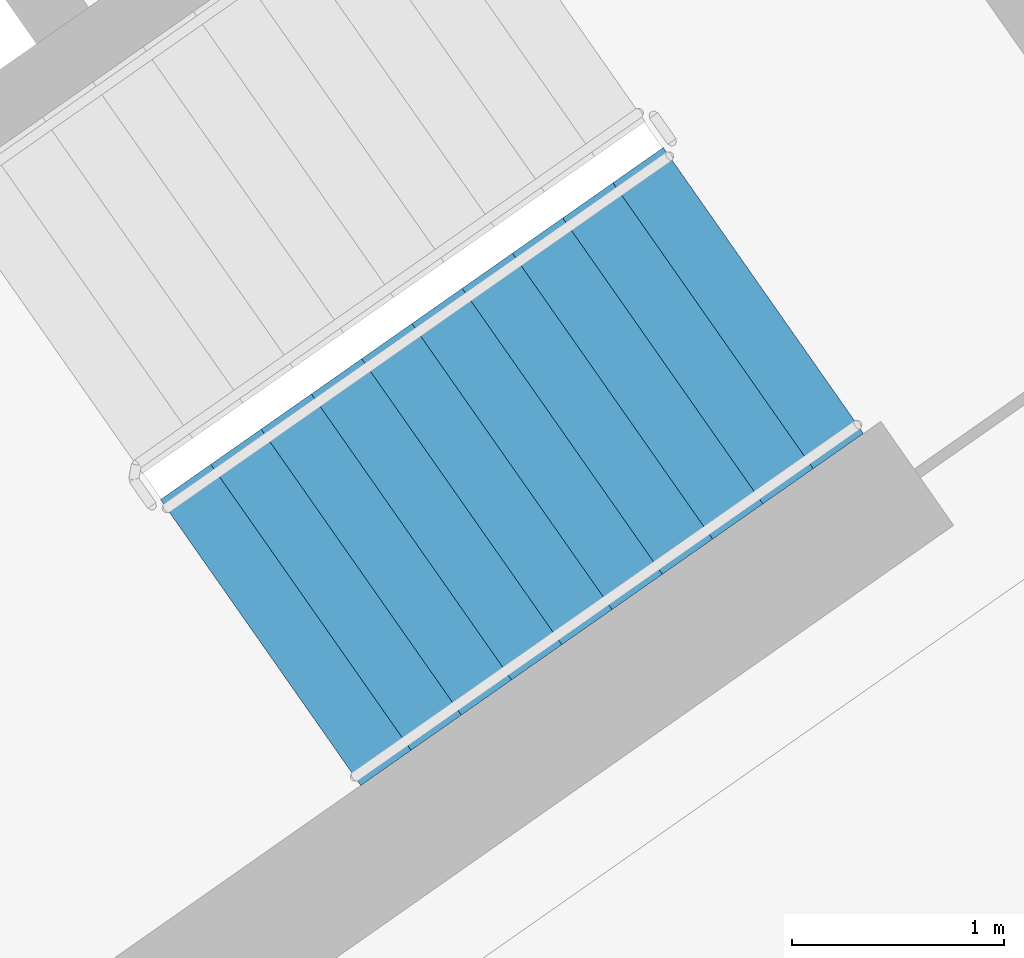
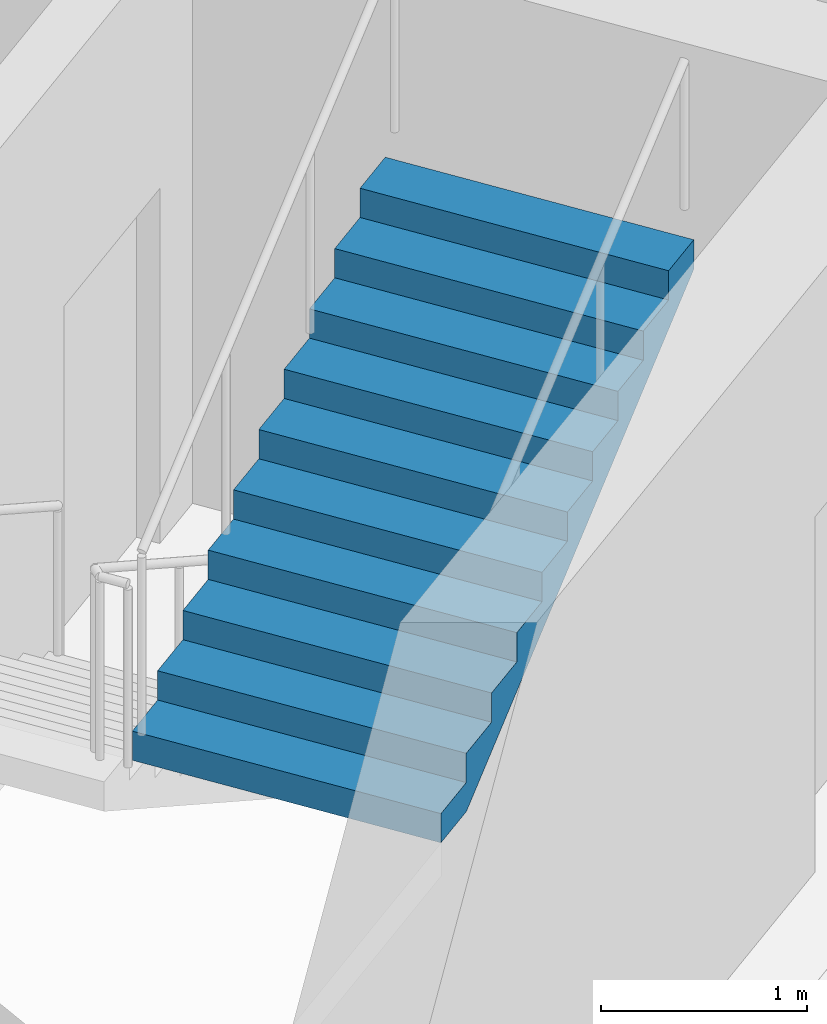
# One storey, part 13 of 27: 1 stair flight, 1 element without a shape of its own.
"""IFC4 building model written with IfcOpenShell, lengths in metres."""

from ifc_helpers import new_model, si_unit, direction, frame, origin, place, context, subcontext, project, spatial, faceted_brep, material, type_object, element, aggregate, save


model = new_model("IFC4")

# Units and contexts
model_context = context("Model", 3, precision=1e-05, world=origin(), true_north=direction((0.0, 1.0)))
body_context = subcontext(model_context, "Body", "Model", "MODEL_VIEW")
ifc_project = project(units=[si_unit("LENGTHUNIT", "METRE"), si_unit("AREAUNIT", "SQUARE_METRE"), si_unit("VOLUMEUNIT", "CUBIC_METRE"), si_unit("PLANEANGLEUNIT", "RADIAN"), si_unit("MASSUNIT", "GRAM", prefix="KILO")], contexts=[model_context])

# Site, building, storey
site_placement = place(None, origin())
site = spatial("IfcSite", under=ifc_project, at=site_placement, CompositionType="ELEMENT")
building_placement = place(site_placement, origin())
building = spatial("IfcBuilding", under=site, at=building_placement, Name="Qamariyya Broadcast Tower", CompositionType="ELEMENT")
storey_placement = place(building_placement, frame((0.0, 0.0, 211.300048828125)))
storey = spatial("IfcBuildingStorey", under=building, at=storey_placement, Name="L50", CompositionType="ELEMENT", Elevation=211.300048828125)

# Stair, stair flight
ifc_material = material(Name="Concrete C50/60", Category="concrete")
stair_type = type_object("IfcStairType", Name="Exit stair 22 risers of 173 mm", PredefinedType="HALF_TURN_STAIR", material=ifc_material)
stair_placement = place(storey_placement, origin())
stair = element("IfcStair", 1, at=stair_placement, inside=storey, type_object=stair_type, Name="L50 Stair E1", PredefinedType="HALF_TURN_STAIR")
stair_flight_type = type_object("IfcStairFlightType", Name="Exit stair flight 11 risers of 173 mm", PredefinedType="STRAIGHT", material=ifc_material)
stair_flight_placement = place(storey_placement, frame((44.693359375, -58.64599609375, 1.89990234375), z_axis=(0.0, 0.0, 1.0), x_axis=(0.819152044289, 0.573576436351, 0.0)))
stair_flight = element("IfcStairFlight", 2, at=stair_flight_placement, type_object=stair_flight_type, Name="ST-E1 flight 2", NumberOfRisers=11, NumberOfTreads=10, PredefinedType="STRAIGHT", RiserHeight=0.172727273, TreadLength=0.29, context=body_context, shape_type="Brep", body=[
    faceted_brep([(0.0, 0.824951171875, 0.0), (0.0, 0.824951171875, 0.172607421875), (0.2900390625, 0.824951171875, 0.172607421875), (0.2900390625, 0.824951171875, 0.345458984375), (0.580078125, 0.824951171875, 0.345458984375), (0.580078125, 0.824951171875, 0.51806640625), (0.8701171875, 0.824951171875, 0.51806640625), (0.8701171875, 0.824951171875, 0.69091796875), (1.159912109375, 0.824951171875, 0.69091796875), (1.159912109375, 0.824951171875, 0.863525390625), (1.449951171875, 0.824951171875, 0.863525390625), (1.449951171875, 0.824951171875, 1.036376953125), (1.739990234375, 0.824951171875, 1.036376953125), (1.739990234375, 0.824951171875, 1.208984375), (2.030029296875, 0.824951171875, 1.208984375), (2.030029296875, 0.824951171875, 1.3818359375), (2.320068359375, 0.824951171875, 1.3818359375), (2.320068359375, 0.824951171875, 1.554443359375), (2.610107421875, 0.824951171875, 1.554443359375), (2.610107421875, 0.824951171875, 1.727294921875), (2.89990234375, 0.824951171875, 1.727294921875), (2.89990234375, 0.824951171875, 1.552734375), (0.29296875, 0.824951171875, 0.0), (0.29296875, -0.824951171875, 0.0), (2.89990234375, -0.824951171875, 1.552734375), (2.89990234375, -0.824951171875, 1.727294921875), (2.610107421875, -0.824951171875, 1.727294921875), (2.610107421875, -0.824951171875, 1.554443359375), (2.320068359375, -0.824951171875, 1.554443359375), (2.320068359375, -0.824951171875, 1.3818359375), (2.030029296875, -0.824951171875, 1.3818359375), (2.030029296875, -0.824951171875, 1.208984375), (1.739990234375, -0.824951171875, 1.208984375), (1.739990234375, -0.824951171875, 1.036376953125), (1.449951171875, -0.824951171875, 1.036376953125), (1.449951171875, -0.824951171875, 0.863525390625), (1.159912109375, -0.824951171875, 0.863525390625), (1.159912109375, -0.824951171875, 0.69091796875), (0.8701171875, -0.824951171875, 0.69091796875), (0.8701171875, -0.824951171875, 0.51806640625), (0.580078125, -0.824951171875, 0.51806640625), (0.580078125, -0.824951171875, 0.345458984375), (0.2900390625, -0.824951171875, 0.345458984375), (0.2900390625, -0.824951171875, 0.172607421875), (0.0, -0.824951171875, 0.172607421875), (0.0, -0.824951171875, 0.0), (0.0, 0.10009765625, 0.0), (0.0, 0.086669921875, 0.0), (0.0, 0.0732421875, 0.0), (0.0, 0.06005859375, 0.0), (0.0, 0.046630859375, 0.0), (0.0, 0.033447265625, 0.0), (0.0, 0.02001953125, 0.0), (0.0, 0.006591796875, 0.0), (0.0, -0.006591796875, 0.0), (0.0, -0.02001953125, 0.0), (0.0, -0.033447265625, 0.0), (0.0, -0.046630859375, 0.0), (0.0, -0.06005859375, 0.0), (0.0, -0.0732421875, 0.0), (0.0, -0.086669921875, 0.0), (0.0, -0.10009765625, 0.0), (0.0, -0.10009765625, 0.172607421875), (0.0, -0.086669921875, 0.172607421875), (0.0, -0.0732421875, 0.172607421875), (0.0, -0.06005859375, 0.172607421875), (0.0, -0.046630859375, 0.172607421875), (0.0, -0.033447265625, 0.172607421875), (0.0, -0.02001953125, 0.172607421875), (0.0, -0.006591796875, 0.172607421875), (0.0, 0.006591796875, 0.172607421875), (0.0, 0.02001953125, 0.172607421875), (0.0, 0.033447265625, 0.172607421875), (0.0, 0.046630859375, 0.172607421875), (0.0, 0.06005859375, 0.172607421875), (0.0, 0.0732421875, 0.172607421875), (0.0, 0.086669921875, 0.172607421875), (0.0, 0.10009765625, 0.172607421875), (0.2900390625, -0.10009765625, 0.172607421875), (0.2900390625, -0.086669921875, 0.172607421875), (0.2900390625, -0.0732421875, 0.172607421875), (0.2900390625, -0.06005859375, 0.172607421875), (0.2900390625, -0.046630859375, 0.172607421875), (0.2900390625, -0.033447265625, 0.172607421875), (0.2900390625, -0.02001953125, 0.172607421875), (0.2900390625, -0.006591796875, 0.172607421875), (0.2900390625, 0.006591796875, 0.172607421875), (0.2900390625, 0.02001953125, 0.172607421875), (0.2900390625, 0.033447265625, 0.172607421875), (0.2900390625, 0.046630859375, 0.172607421875), (0.2900390625, 0.06005859375, 0.172607421875), (0.2900390625, 0.0732421875, 0.172607421875), (0.2900390625, 0.086669921875, 0.172607421875), (0.2900390625, 0.10009765625, 0.172607421875), (0.2900390625, -0.10009765625, 0.345458984375), (0.2900390625, -0.086669921875, 0.345458984375), (0.2900390625, -0.0732421875, 0.345458984375), (0.2900390625, -0.06005859375, 0.345458984375), (0.2900390625, -0.046630859375, 0.345458984375), (0.2900390625, -0.033447265625, 0.345458984375), (0.2900390625, -0.02001953125, 0.345458984375), (0.2900390625, -0.006591796875, 0.345458984375), (0.2900390625, 0.006591796875, 0.345458984375), (0.2900390625, 0.02001953125, 0.345458984375), (0.2900390625, 0.033447265625, 0.345458984375), (0.2900390625, 0.046630859375, 0.345458984375), (0.2900390625, 0.06005859375, 0.345458984375), (0.2900390625, 0.0732421875, 0.345458984375), (0.2900390625, 0.086669921875, 0.345458984375), (0.2900390625, 0.10009765625, 0.345458984375), (0.580078125, -0.10009765625, 0.345458984375), (0.580078125, -0.086669921875, 0.345458984375), (0.580078125, -0.0732421875, 0.345458984375), (0.580078125, -0.06005859375, 0.345458984375), (0.580078125, -0.046630859375, 0.345458984375), (0.580078125, -0.033447265625, 0.345458984375), (0.580078125, -0.02001953125, 0.345458984375), (0.580078125, -0.006591796875, 0.345458984375), (0.580078125, 0.006591796875, 0.345458984375), (0.580078125, 0.02001953125, 0.345458984375), (0.580078125, 0.033447265625, 0.345458984375), (0.580078125, 0.046630859375, 0.345458984375), (0.580078125, 0.06005859375, 0.345458984375), (0.580078125, 0.0732421875, 0.345458984375), (0.580078125, 0.086669921875, 0.345458984375), (0.580078125, 0.10009765625, 0.345458984375), (0.580078125, -0.10009765625, 0.51806640625), (0.580078125, -0.086669921875, 0.51806640625), (0.580078125, -0.0732421875, 0.51806640625), (0.580078125, -0.06005859375, 0.51806640625), (0.580078125, -0.046630859375, 0.51806640625), (0.580078125, -0.033447265625, 0.51806640625), (0.580078125, -0.02001953125, 0.51806640625), (0.580078125, -0.006591796875, 0.51806640625), (0.580078125, 0.006591796875, 0.51806640625), (0.580078125, 0.02001953125, 0.51806640625), (0.580078125, 0.033447265625, 0.51806640625), (0.580078125, 0.046630859375, 0.51806640625), (0.580078125, 0.06005859375, 0.51806640625), (0.580078125, 0.0732421875, 0.51806640625), (0.580078125, 0.086669921875, 0.51806640625), (0.580078125, 0.10009765625, 0.51806640625), (0.8701171875, -0.10009765625, 0.51806640625), (0.8701171875, -0.086669921875, 0.51806640625), (0.8701171875, -0.0732421875, 0.51806640625), (0.8701171875, -0.06005859375, 0.51806640625), (0.8701171875, -0.046630859375, 0.51806640625), (0.8701171875, -0.033447265625, 0.51806640625), (0.8701171875, -0.02001953125, 0.51806640625), (0.8701171875, -0.006591796875, 0.51806640625), (0.8701171875, 0.006591796875, 0.51806640625), (0.8701171875, 0.02001953125, 0.51806640625), (0.8701171875, 0.033447265625, 0.51806640625), (0.8701171875, 0.046630859375, 0.51806640625), (0.8701171875, 0.06005859375, 0.51806640625), (0.8701171875, 0.0732421875, 0.51806640625), (0.8701171875, 0.086669921875, 0.51806640625), (0.8701171875, 0.10009765625, 0.51806640625), (0.8701171875, -0.10009765625, 0.69091796875), (0.8701171875, -0.086669921875, 0.69091796875), (0.8701171875, -0.0732421875, 0.69091796875), (0.8701171875, -0.06005859375, 0.69091796875), (0.8701171875, -0.046630859375, 0.69091796875), (0.8701171875, -0.033447265625, 0.69091796875), (0.8701171875, -0.02001953125, 0.69091796875), (0.8701171875, -0.006591796875, 0.69091796875), (0.8701171875, 0.006591796875, 0.69091796875), (0.8701171875, 0.02001953125, 0.69091796875), (0.8701171875, 0.033447265625, 0.69091796875), (0.8701171875, 0.046630859375, 0.69091796875), (0.8701171875, 0.06005859375, 0.69091796875), (0.8701171875, 0.0732421875, 0.69091796875), (0.8701171875, 0.086669921875, 0.69091796875), (0.8701171875, 0.10009765625, 0.69091796875), (1.159912109375, -0.10009765625, 0.69091796875), (1.159912109375, -0.086669921875, 0.69091796875), (1.159912109375, -0.0732421875, 0.69091796875), (1.159912109375, -0.06005859375, 0.69091796875), (1.159912109375, -0.046630859375, 0.69091796875), (1.159912109375, -0.033447265625, 0.69091796875), (1.159912109375, -0.02001953125, 0.69091796875), (1.159912109375, -0.006591796875, 0.69091796875), (1.159912109375, 0.006591796875, 0.69091796875), (1.159912109375, 0.02001953125, 0.69091796875), (1.159912109375, 0.033447265625, 0.69091796875), (1.159912109375, 0.046630859375, 0.69091796875), (1.159912109375, 0.06005859375, 0.69091796875), (1.159912109375, 0.0732421875, 0.69091796875), (1.159912109375, 0.086669921875, 0.69091796875), (1.159912109375, 0.10009765625, 0.69091796875), (1.159912109375, -0.10009765625, 0.863525390625), (1.159912109375, -0.086669921875, 0.863525390625), (1.159912109375, -0.0732421875, 0.863525390625), (1.159912109375, -0.06005859375, 0.863525390625), (1.159912109375, -0.046630859375, 0.863525390625), (1.159912109375, -0.033447265625, 0.863525390625), (1.159912109375, -0.02001953125, 0.863525390625), (1.159912109375, -0.006591796875, 0.863525390625), (1.159912109375, 0.006591796875, 0.863525390625), (1.159912109375, 0.02001953125, 0.863525390625), (1.159912109375, 0.033447265625, 0.863525390625), (1.159912109375, 0.046630859375, 0.863525390625), (1.159912109375, 0.06005859375, 0.863525390625), (1.159912109375, 0.0732421875, 0.863525390625), (1.159912109375, 0.086669921875, 0.863525390625), (1.159912109375, 0.10009765625, 0.863525390625), (1.449951171875, -0.10009765625, 0.863525390625), (1.449951171875, -0.086669921875, 0.863525390625), (1.449951171875, -0.0732421875, 0.863525390625), (1.449951171875, -0.06005859375, 0.863525390625), (1.449951171875, -0.046630859375, 0.863525390625), (1.449951171875, -0.033447265625, 0.863525390625), (1.449951171875, -0.02001953125, 0.863525390625), (1.449951171875, -0.006591796875, 0.863525390625), (1.449951171875, 0.006591796875, 0.863525390625), (1.449951171875, 0.02001953125, 0.863525390625), (1.449951171875, 0.033447265625, 0.863525390625), (1.449951171875, 0.046630859375, 0.863525390625), (1.449951171875, 0.06005859375, 0.863525390625), (1.449951171875, 0.0732421875, 0.863525390625), (1.449951171875, 0.086669921875, 0.863525390625), (1.449951171875, 0.10009765625, 0.863525390625), (1.449951171875, -0.10009765625, 1.036376953125), (1.449951171875, -0.086669921875, 1.036376953125), (1.449951171875, -0.0732421875, 1.036376953125), (1.449951171875, -0.06005859375, 1.036376953125), (1.449951171875, -0.046630859375, 1.036376953125), (1.449951171875, -0.033447265625, 1.036376953125), (1.449951171875, -0.02001953125, 1.036376953125), (1.449951171875, -0.006591796875, 1.036376953125), (1.449951171875, 0.006591796875, 1.036376953125), (1.449951171875, 0.02001953125, 1.036376953125), (1.449951171875, 0.033447265625, 1.036376953125), (1.449951171875, 0.046630859375, 1.036376953125), (1.449951171875, 0.06005859375, 1.036376953125), (1.449951171875, 0.0732421875, 1.036376953125), (1.449951171875, 0.086669921875, 1.036376953125), (1.449951171875, 0.10009765625, 1.036376953125), (1.739990234375, -0.10009765625, 1.036376953125), (1.739990234375, -0.086669921875, 1.036376953125), (1.739990234375, -0.0732421875, 1.036376953125), (1.739990234375, -0.06005859375, 1.036376953125), (1.739990234375, -0.046630859375, 1.036376953125), (1.739990234375, -0.033447265625, 1.036376953125), (1.739990234375, -0.02001953125, 1.036376953125), (1.739990234375, -0.006591796875, 1.036376953125), (1.739990234375, 0.006591796875, 1.036376953125), (1.739990234375, 0.02001953125, 1.036376953125), (1.739990234375, 0.033447265625, 1.036376953125), (1.739990234375, 0.046630859375, 1.036376953125), (1.739990234375, 0.06005859375, 1.036376953125), (1.739990234375, 0.0732421875, 1.036376953125), (1.739990234375, 0.086669921875, 1.036376953125), (1.739990234375, 0.10009765625, 1.036376953125), (1.739990234375, -0.10009765625, 1.208984375), (1.739990234375, -0.086669921875, 1.208984375), (1.739990234375, -0.0732421875, 1.208984375), (1.739990234375, -0.06005859375, 1.208984375), (1.739990234375, -0.046630859375, 1.208984375), (1.739990234375, -0.033447265625, 1.208984375), (1.739990234375, -0.02001953125, 1.208984375), (1.739990234375, -0.006591796875, 1.208984375), (1.739990234375, 0.006591796875, 1.208984375), (1.739990234375, 0.02001953125, 1.208984375), (1.739990234375, 0.033447265625, 1.208984375), (1.739990234375, 0.046630859375, 1.208984375), (1.739990234375, 0.06005859375, 1.208984375), (1.739990234375, 0.0732421875, 1.208984375), (1.739990234375, 0.086669921875, 1.208984375), (1.739990234375, 0.10009765625, 1.208984375), (2.030029296875, -0.10009765625, 1.208984375), (2.030029296875, -0.086669921875, 1.208984375), (2.030029296875, -0.0732421875, 1.208984375), (2.030029296875, -0.06005859375, 1.208984375), (2.030029296875, -0.046630859375, 1.208984375), (2.030029296875, -0.033447265625, 1.208984375), (2.030029296875, -0.02001953125, 1.208984375), (2.030029296875, -0.006591796875, 1.208984375), (2.030029296875, 0.006591796875, 1.208984375), (2.030029296875, 0.02001953125, 1.208984375), (2.030029296875, 0.033447265625, 1.208984375), (2.030029296875, 0.046630859375, 1.208984375), (2.030029296875, 0.06005859375, 1.208984375), (2.030029296875, 0.0732421875, 1.208984375), (2.030029296875, 0.086669921875, 1.208984375), (2.030029296875, 0.10009765625, 1.208984375), (2.030029296875, -0.10009765625, 1.3818359375), (2.030029296875, -0.086669921875, 1.3818359375), (2.030029296875, -0.0732421875, 1.3818359375), (2.030029296875, -0.06005859375, 1.3818359375), (2.030029296875, -0.046630859375, 1.3818359375), (2.030029296875, -0.033447265625, 1.3818359375), (2.030029296875, -0.02001953125, 1.3818359375), (2.030029296875, -0.006591796875, 1.3818359375), (2.030029296875, 0.006591796875, 1.3818359375), (2.030029296875, 0.02001953125, 1.3818359375), (2.030029296875, 0.033447265625, 1.3818359375), (2.030029296875, 0.046630859375, 1.3818359375), (2.030029296875, 0.06005859375, 1.3818359375), (2.030029296875, 0.0732421875, 1.3818359375), (2.030029296875, 0.086669921875, 1.3818359375), (2.030029296875, 0.10009765625, 1.3818359375), (2.320068359375, -0.10009765625, 1.3818359375), (2.320068359375, -0.086669921875, 1.3818359375), (2.320068359375, -0.0732421875, 1.3818359375), (2.320068359375, -0.06005859375, 1.3818359375), (2.320068359375, -0.046630859375, 1.3818359375), (2.320068359375, -0.033447265625, 1.3818359375), (2.320068359375, -0.02001953125, 1.3818359375), (2.320068359375, -0.006591796875, 1.3818359375), (2.320068359375, 0.006591796875, 1.3818359375), (2.320068359375, 0.02001953125, 1.3818359375), (2.320068359375, 0.033447265625, 1.3818359375), (2.320068359375, 0.046630859375, 1.3818359375), (2.320068359375, 0.06005859375, 1.3818359375), (2.320068359375, 0.0732421875, 1.3818359375), (2.320068359375, 0.086669921875, 1.3818359375), (2.320068359375, 0.10009765625, 1.3818359375), (2.320068359375, -0.10009765625, 1.554443359375), (2.320068359375, -0.086669921875, 1.554443359375), (2.320068359375, -0.0732421875, 1.554443359375), (2.320068359375, -0.06005859375, 1.554443359375), (2.320068359375, -0.046630859375, 1.554443359375), (2.320068359375, -0.033447265625, 1.554443359375), (2.320068359375, -0.02001953125, 1.554443359375), (2.320068359375, -0.006591796875, 1.554443359375), (2.320068359375, 0.006591796875, 1.554443359375), (2.320068359375, 0.02001953125, 1.554443359375), (2.320068359375, 0.033447265625, 1.554443359375), (2.320068359375, 0.046630859375, 1.554443359375), (2.320068359375, 0.06005859375, 1.554443359375), (2.320068359375, 0.0732421875, 1.554443359375), (2.320068359375, 0.086669921875, 1.554443359375), (2.320068359375, 0.10009765625, 1.554443359375), (2.610107421875, -0.10009765625, 1.554443359375), (2.610107421875, -0.086669921875, 1.554443359375), (2.610107421875, -0.0732421875, 1.554443359375), (2.610107421875, -0.06005859375, 1.554443359375), (2.610107421875, -0.046630859375, 1.554443359375), (2.610107421875, -0.033447265625, 1.554443359375), (2.610107421875, -0.02001953125, 1.554443359375), (2.610107421875, -0.006591796875, 1.554443359375), (2.610107421875, 0.006591796875, 1.554443359375), (2.610107421875, 0.02001953125, 1.554443359375), (2.610107421875, 0.033447265625, 1.554443359375), (2.610107421875, 0.046630859375, 1.554443359375), (2.610107421875, 0.06005859375, 1.554443359375), (2.610107421875, 0.0732421875, 1.554443359375), (2.610107421875, 0.086669921875, 1.554443359375), (2.610107421875, 0.10009765625, 1.554443359375), (2.610107421875, -0.10009765625, 1.727294921875), (2.610107421875, -0.086669921875, 1.727294921875), (2.610107421875, -0.0732421875, 1.727294921875), (2.610107421875, -0.06005859375, 1.727294921875), (2.610107421875, -0.046630859375, 1.727294921875), (2.610107421875, -0.033447265625, 1.727294921875), (2.610107421875, -0.02001953125, 1.727294921875), (2.610107421875, -0.006591796875, 1.727294921875), (2.610107421875, 0.006591796875, 1.727294921875), (2.610107421875, 0.02001953125, 1.727294921875), (2.610107421875, 0.033447265625, 1.727294921875), (2.610107421875, 0.046630859375, 1.727294921875), (2.610107421875, 0.06005859375, 1.727294921875), (2.610107421875, 0.0732421875, 1.727294921875), (2.610107421875, 0.086669921875, 1.727294921875), (2.610107421875, 0.10009765625, 1.727294921875), (2.89990234375, -0.10009765625, 1.727294921875), (2.89990234375, -0.086669921875, 1.727294921875), (2.89990234375, -0.0732421875, 1.727294921875), (2.89990234375, -0.06005859375, 1.727294921875), (2.89990234375, -0.046630859375, 1.727294921875), (2.89990234375, -0.033447265625, 1.727294921875), (2.89990234375, -0.02001953125, 1.727294921875), (2.89990234375, -0.006591796875, 1.727294921875), (2.89990234375, 0.006591796875, 1.727294921875), (2.89990234375, 0.02001953125, 1.727294921875), (2.89990234375, 0.033447265625, 1.727294921875), (2.89990234375, 0.046630859375, 1.727294921875), (2.89990234375, 0.06005859375, 1.727294921875), (2.89990234375, 0.0732421875, 1.727294921875), (2.89990234375, 0.086669921875, 1.727294921875), (2.89990234375, 0.10009765625, 1.727294921875), (2.89990234375, -0.10009765625, 1.552734375), (2.89990234375, -0.086669921875, 1.552734375), (2.89990234375, -0.0732421875, 1.552734375), (2.89990234375, -0.06005859375, 1.552734375), (2.89990234375, -0.046630859375, 1.552734375), (2.89990234375, -0.033447265625, 1.552734375), (2.89990234375, -0.02001953125, 1.552734375), (2.89990234375, -0.006591796875, 1.552734375), (2.89990234375, 0.006591796875, 1.552734375), (2.89990234375, 0.02001953125, 1.552734375), (2.89990234375, 0.033447265625, 1.552734375), (2.89990234375, 0.046630859375, 1.552734375), (2.89990234375, 0.06005859375, 1.552734375), (2.89990234375, 0.0732421875, 1.552734375), (2.89990234375, 0.086669921875, 1.552734375), (2.89990234375, 0.10009765625, 1.552734375), (0.29296875, -0.10009765625, 0.0), (0.29296875, -0.086669921875, 0.0), (0.29296875, -0.0732421875, 0.0), (0.29296875, -0.06005859375, 0.0), (0.29296875, -0.046630859375, 0.0), (0.29296875, -0.033447265625, 0.0), (0.29296875, -0.02001953125, 0.0), (0.29296875, -0.006591796875, 0.0), (0.29296875, 0.006591796875, 0.0), (0.29296875, 0.02001953125, 0.0), (0.29296875, 0.033447265625, 0.0), (0.29296875, 0.046630859375, 0.0), (0.29296875, 0.06005859375, 0.0), (0.29296875, 0.0732421875, 0.0), (0.29296875, 0.086669921875, 0.0), (0.29296875, 0.10009765625, 0.0)], [[[0, 1, 2, 3, 4, 5, 6, 7, 8, 9, 10, 11, 12, 13, 14, 15, 16, 17, 18, 19, 20, 21, 22]], [[23, 24, 25, 26, 27, 28, 29, 30, 31, 32, 33, 34, 35, 36, 37, 38, 39, 40, 41, 42, 43, 44, 45]], [[0, 46, 47, 48, 49, 50, 51, 52, 53, 54, 55, 56, 57, 58, 59, 60, 61, 45, 44, 62, 63, 64, 65, 66, 67, 68, 69, 70, 71, 72, 73, 74, 75, 76, 77, 1]], [[1, 77, 76, 75, 74, 73, 72, 71, 70, 69, 68, 67, 66, 65, 64, 63, 62, 44, 43, 78, 79, 80, 81, 82, 83, 84, 85, 86, 87, 88, 89, 90, 91, 92, 93, 2]], [[2, 93, 92, 91, 90, 89, 88, 87, 86, 85, 84, 83, 82, 81, 80, 79, 78, 43, 42, 94, 95, 96, 97, 98, 99, 100, 101, 102, 103, 104, 105, 106, 107, 108, 109, 3]], [[3, 109, 108, 107, 106, 105, 104, 103, 102, 101, 100, 99, 98, 97, 96, 95, 94, 42, 41, 110, 111, 112, 113, 114, 115, 116, 117, 118, 119, 120, 121, 122, 123, 124, 125, 4]], [[4, 125, 124, 123, 122, 121, 120, 119, 118, 117, 116, 115, 114, 113, 112, 111, 110, 41, 40, 126, 127, 128, 129, 130, 131, 132, 133, 134, 135, 136, 137, 138, 139, 140, 141, 5]], [[5, 141, 140, 139, 138, 137, 136, 135, 134, 133, 132, 131, 130, 129, 128, 127, 126, 40, 39, 142, 143, 144, 145, 146, 147, 148, 149, 150, 151, 152, 153, 154, 155, 156, 157, 6]], [[6, 157, 156, 155, 154, 153, 152, 151, 150, 149, 148, 147, 146, 145, 144, 143, 142, 39, 38, 158, 159, 160, 161, 162, 163, 164, 165, 166, 167, 168, 169, 170, 171, 172, 173, 7]], [[7, 173, 172, 171, 170, 169, 168, 167, 166, 165, 164, 163, 162, 161, 160, 159, 158, 38, 37, 174, 175, 176, 177, 178, 179, 180, 181, 182, 183, 184, 185, 186, 187, 188, 189, 8]], [[8, 189, 188, 187, 186, 185, 184, 183, 182, 181, 180, 179, 178, 177, 176, 175, 174, 37, 36, 190, 191, 192, 193, 194, 195, 196, 197, 198, 199, 200, 201, 202, 203, 204, 205, 9]], [[9, 205, 204, 203, 202, 201, 200, 199, 198, 197, 196, 195, 194, 193, 192, 191, 190, 36, 35, 206, 207, 208, 209, 210, 211, 212, 213, 214, 215, 216, 217, 218, 219, 220, 221, 10]], [[10, 221, 220, 219, 218, 217, 216, 215, 214, 213, 212, 211, 210, 209, 208, 207, 206, 35, 34, 222, 223, 224, 225, 226, 227, 228, 229, 230, 231, 232, 233, 234, 235, 236, 237, 11]], [[11, 237, 236, 235, 234, 233, 232, 231, 230, 229, 228, 227, 226, 225, 224, 223, 222, 34, 33, 238, 239, 240, 241, 242, 243, 244, 245, 246, 247, 248, 249, 250, 251, 252, 253, 12]], [[12, 253, 252, 251, 250, 249, 248, 247, 246, 245, 244, 243, 242, 241, 240, 239, 238, 33, 32, 254, 255, 256, 257, 258, 259, 260, 261, 262, 263, 264, 265, 266, 267, 268, 269, 13]], [[13, 269, 268, 267, 266, 265, 264, 263, 262, 261, 260, 259, 258, 257, 256, 255, 254, 32, 31, 270, 271, 272, 273, 274, 275, 276, 277, 278, 279, 280, 281, 282, 283, 284, 285, 14]], [[14, 285, 284, 283, 282, 281, 280, 279, 278, 277, 276, 275, 274, 273, 272, 271, 270, 31, 30, 286, 287, 288, 289, 290, 291, 292, 293, 294, 295, 296, 297, 298, 299, 300, 301, 15]], [[15, 301, 300, 299, 298, 297, 296, 295, 294, 293, 292, 291, 290, 289, 288, 287, 286, 30, 29, 302, 303, 304, 305, 306, 307, 308, 309, 310, 311, 312, 313, 314, 315, 316, 317, 16]], [[16, 317, 316, 315, 314, 313, 312, 311, 310, 309, 308, 307, 306, 305, 304, 303, 302, 29, 28, 318, 319, 320, 321, 322, 323, 324, 325, 326, 327, 328, 329, 330, 331, 332, 333, 17]], [[17, 333, 332, 331, 330, 329, 328, 327, 326, 325, 324, 323, 322, 321, 320, 319, 318, 28, 27, 334, 335, 336, 337, 338, 339, 340, 341, 342, 343, 344, 345, 346, 347, 348, 349, 18]], [[18, 349, 348, 347, 346, 345, 344, 343, 342, 341, 340, 339, 338, 337, 336, 335, 334, 27, 26, 350, 351, 352, 353, 354, 355, 356, 357, 358, 359, 360, 361, 362, 363, 364, 365, 19]], [[19, 365, 364, 363, 362, 361, 360, 359, 358, 357, 356, 355, 354, 353, 352, 351, 350, 26, 25, 366, 367, 368, 369, 370, 371, 372, 373, 374, 375, 376, 377, 378, 379, 380, 381, 20]], [[20, 381, 380, 379, 378, 377, 376, 375, 374, 373, 372, 371, 370, 369, 368, 367, 366, 25, 24, 382, 383, 384, 385, 386, 387, 388, 389, 390, 391, 392, 393, 394, 395, 396, 397, 21]], [[21, 397, 396, 395, 394, 393, 392, 391, 390, 389, 388, 387, 386, 385, 384, 383, 382, 24, 23, 398, 399, 400, 401, 402, 403, 404, 405, 406, 407, 408, 409, 410, 411, 412, 413, 22]], [[22, 413, 412, 411, 410, 409, 408, 407, 406, 405, 404, 403, 402, 401, 400, 399, 398, 23, 45, 61, 60, 59, 58, 57, 56, 55, 54, 53, 52, 51, 50, 49, 48, 47, 46, 0]]]),
])
aggregate(stair, [stair_flight])

save(model, "model.ifc")
